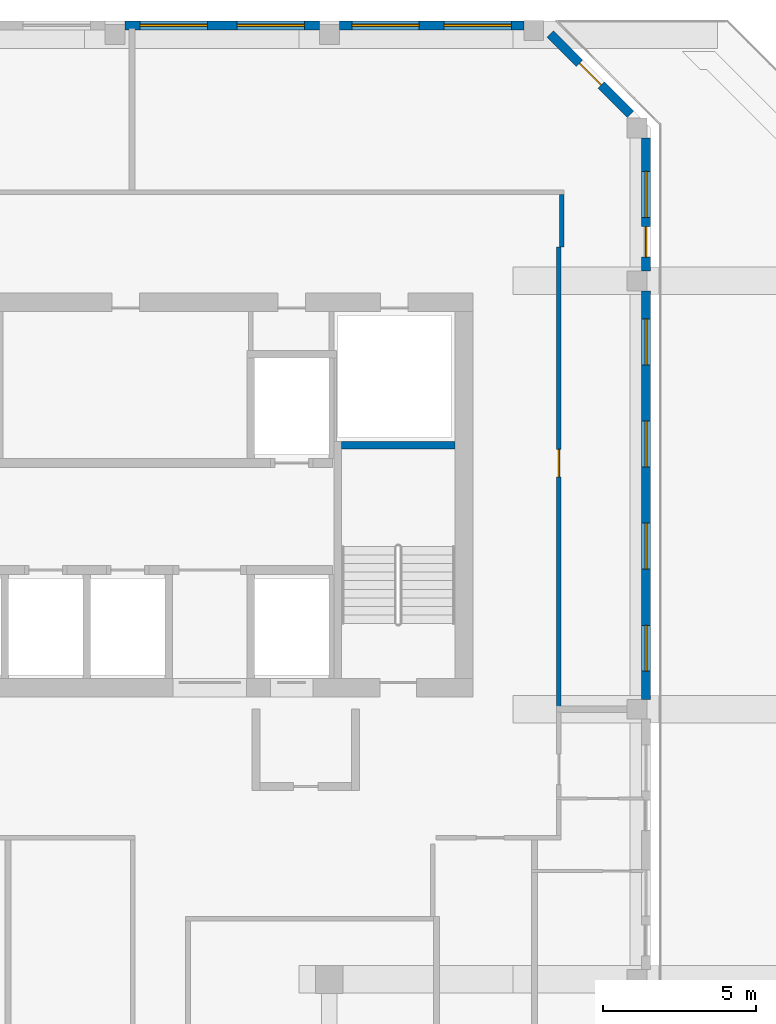
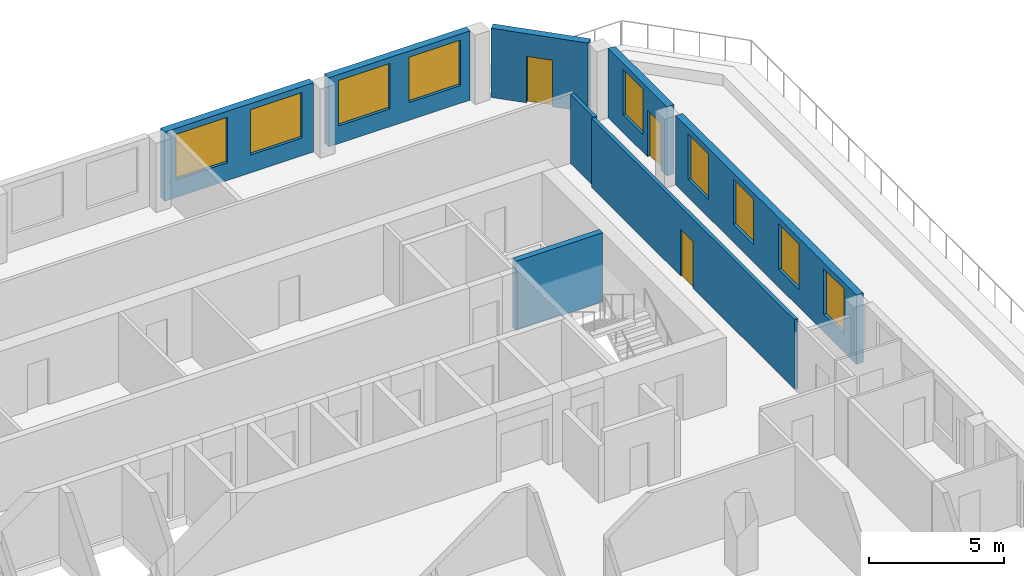
# One storey, part 9 of 13: 9 windows, 8 walls, 3 doors, 12 openings.
"""IFC4 building model written with IfcOpenShell, lengths in metres."""

import ifcopenshell
import ifcopenshell.guid

model = None  # the IFC model being written
_history = None  # IfcOwnerHistory: only IFC2X3 demands one
_inside = {}  # id of a spatial element -> (the spatial element, [elements in it])
_under = {}  # id of a project, library or spatial element -> (it, [spatial elements below it])
_declared = {}  # id of a project -> (the project, [libraries it declares])
_typed = {}  # id of a type object -> (the type object, [elements of that type])
_made_of = {}  # id of a material, layer set ... -> (it, [elements and type objects made of it])


def new_model(schema):
    """Start an empty IFC model of exactly this schema.

    Asked for "IFC4X3", IfcOpenShell would pick the latest addendum, in which some entities
    have other attributes; the version numbers below select the first issue.
    IFC2X3 requires an IfcOwnerHistory on every rooted entity: one is made here for all.
    """
    global model, _history
    if schema == "IFC4X3":
        model = ifcopenshell.file(schema_version=(4, 3, 0, 0))
    else:
        model = ifcopenshell.file(schema=schema)
    _inside.clear()
    _under.clear()
    _declared.clear()
    _typed.clear()
    _made_of.clear()
    _history = None
    if model.schema == "IFC2X3":
        org = make("IfcOrganization", Name="unknown")
        user = make(
            "IfcPersonAndOrganization",
            ThePerson=make("IfcPerson", FamilyName="unknown"),
            TheOrganization=org,
        )
        app = make(
            "IfcApplication",
            ApplicationDeveloper=org,
            Version="unknown",
            ApplicationFullName="unknown",
            ApplicationIdentifier="unknown",
        )
        _history = make(
            "IfcOwnerHistory",
            OwningUser=user,
            OwningApplication=app,
            ChangeAction="ADDED",
            CreationDate=0,
        )
    return model


def make(cls, **values):
    """One entity of the class cls with the attributes given. An attribute that is None is left unset."""
    return model.create_entity(
        cls, **{name: value for name, value in values.items() if value is not None}
    )


def rooted(cls, **values):
    """An entity with a GlobalId (a new one), such as an element, a storey or a relation."""
    return make(cls, GlobalId=ifcopenshell.guid.new(), OwnerHistory=_history, **values)


def si_unit(unit_type, name, prefix=None):
    """IfcSIUnit, for example si_unit("LENGTHUNIT", "METRE", prefix="MILLI")."""
    return make("IfcSIUnit", UnitType=unit_type, Prefix=prefix, Name=name)


def assignment(units):
    """IfcUnitAssignment: the units of a project."""
    return None if units is None else make("IfcUnitAssignment", Units=units)


def point(xyz):
    """IfcCartesianPoint."""
    return None if xyz is None else make("IfcCartesianPoint", Coordinates=xyz)


def direction(xyz):
    """IfcDirection."""
    return None if xyz is None else make("IfcDirection", DirectionRatios=xyz)


def frame(location, z_axis=None, x_axis=None):
    """IfcAxis2Placement3D, a coordinate frame: its origin and axes. An axis left out is left unset."""
    return make(
        "IfcAxis2Placement3D",
        Location=point(location),
        Axis=direction(z_axis),
        RefDirection=direction(x_axis),
    )


def frame_2d(location, x_axis=None):
    """IfcAxis2Placement2D, a coordinate frame in the plane: its origin and x axis."""
    return make(
        "IfcAxis2Placement2D", Location=point(location), RefDirection=direction(x_axis)
    )


def origin():
    """The frame at (0, 0, 0) with its axes left unset."""
    return frame((0.0, 0.0, 0.0))


def place(relative_to, where):
    """IfcLocalPlacement: puts the frame where relative to a parent placement (None: the world)."""
    return make(
        "IfcLocalPlacement", PlacementRelTo=relative_to, RelativePlacement=where
    )


def context(
    kind, dimensions, precision=None, world=None, true_north=None, identifier=None
):
    """IfcGeometricRepresentationContext, for example the 3D "Model" context."""
    return make(
        "IfcGeometricRepresentationContext",
        ContextIdentifier=identifier,
        ContextType=kind,
        CoordinateSpaceDimension=dimensions,
        Precision=precision,
        WorldCoordinateSystem=world,
        TrueNorth=true_north,
    )


def subcontext(parent, identifier, kind, view, scale=None):
    """IfcGeometricRepresentationSubContext, for example "Body" below "Model"."""
    return make(
        "IfcGeometricRepresentationSubContext",
        ContextIdentifier=identifier,
        ContextType=kind,
        ParentContext=parent,
        TargetScale=scale,
        TargetView=view,
    )


def project(units=None, contexts=None):
    """IfcProject with its units and contexts."""
    return rooted(
        "IfcProject",
        Name="project",
        RepresentationContexts=contexts,
        UnitsInContext=assignment(units),
    )


def spatial(cls, under=None, at=None, **own):
    """A site, building, storey or space (cls), placed at a placement, below another one or the project."""
    s = rooted(cls, ObjectPlacement=at, **own)
    if under is not None:
        _under.setdefault(under.id(), (under, []))[1].append(s)
    return s


def profile(cls, at=None, kind="AREA", **sizes):
    """A parametric profile (cls). Its sizes go by their IFC names, for example OverallWidth=200.0."""
    return make(cls, ProfileType=kind, Position=at, **sizes)


def rectangle(**sizes):
    """IfcRectangleProfileDef."""
    return profile("IfcRectangleProfileDef", **sizes)


def extrude(swept, where, along, depth):
    """IfcExtrudedAreaSolid: the profile swept, set in the frame where, extruded along a direction by depth."""
    return make(
        "IfcExtrudedAreaSolid",
        SweptArea=swept,
        Position=where,
        ExtrudedDirection=direction(along),
        Depth=depth,
    )


def shape(context_of_items, identifier, shape_type, items):
    """IfcShapeRepresentation: the items that make up one representation, for example the "Body"."""
    return make(
        "IfcShapeRepresentation",
        ContextOfItems=context_of_items,
        RepresentationIdentifier=identifier,
        RepresentationType=shape_type,
        Items=items,
    )


def source(mapping_origin, context_of_items, identifier, shape_type, items):
    """IfcRepresentationMap: a shape defined once, which mapped items show again and again."""
    return make(
        "IfcRepresentationMap",
        MappingOrigin=mapping_origin,
        MappedRepresentation=shape(context_of_items, identifier, shape_type, items),
    )


def transform(
    local_origin,
    x_axis=None,
    y_axis=None,
    z_axis=None,
    scale=None,
    scale2=None,
    scale3=None,
    uniform=True,
):
    """IfcCartesianTransformationOperator3D, or its non-uniform kind. x_axis, y_axis, z_axis: its Axis1, 2, 3."""
    if uniform:
        return make(
            "IfcCartesianTransformationOperator3D",
            Axis1=direction(x_axis),
            Axis2=direction(y_axis),
            LocalOrigin=point(local_origin),
            Scale=scale,
            Axis3=direction(z_axis),
        )
    return make(
        "IfcCartesianTransformationOperator3DnonUniform",
        Axis1=direction(x_axis),
        Axis2=direction(y_axis),
        LocalOrigin=point(local_origin),
        Scale=scale,
        Axis3=direction(z_axis),
        Scale2=scale2,
        Scale3=scale3,
    )


def mapped(mapping_source, mapping_target):
    """IfcMappedItem: shows the shape of a source again, moved by a transform."""
    return make(
        "IfcMappedItem", MappingSource=mapping_source, MappingTarget=mapping_target
    )


def material(Name=None, Category=None):
    """IfcMaterial."""
    return make("IfcMaterial", Name=Name, Category=Category)


def layer(
    of_material, thickness, ventilated=None, Name=None, Category=None, Priority=None
):
    """IfcMaterialLayer: one layer of a wall or slab, of a material (None: an air gap)."""
    return make(
        "IfcMaterialLayer",
        Material=of_material,
        LayerThickness=thickness,
        IsVentilated=ventilated,
        Name=Name,
        Category=Category,
        Priority=Priority,
    )


def layer_set(layers, Name=None):
    """IfcMaterialLayerSet."""
    return make("IfcMaterialLayerSet", MaterialLayers=layers, LayerSetName=Name)


def made_of(thing, what):
    """Note that an element or type object is made of a material, layer set ...; save() writes the relation."""
    if what is not None:
        _made_of.setdefault(what.id(), (what, []))[1].append(thing)
    return thing


def type_object(cls, material=None, **own):
    """A type object (cls), such as IfcWallType, which elements share."""
    return made_of(rooted(cls, **own), material)


def element(
    cls,
    number,
    at=None,
    inside=None,
    cuts=None,
    type_object=None,
    material=None,
    context=None,
    identifier="Body",
    shape_type=None,
    held_by="IfcProductDefinitionShape",
    body=None,
    shapes=None,
    **own,
):
    """One element of the class cls, such as IfcWall. Its Tag is "e" and its number.

    at: its placement. inside: the storey or other place that contains it. cuts: it is an
    opening in that element (IfcRelVoidsElement). A single representation is given by context,
    identifier, shape_type and body (its items); several are given by shapes. held_by: the class
    of the entity that holds the representations. save() writes the other relations.
    """
    e = rooted(cls, Tag="e%d" % number, ObjectPlacement=at, **own)
    if body is not None:
        shapes = [shape(context, identifier, shape_type, body)]
    if shapes is not None:
        e.Representation = make(held_by, Representations=shapes)
    if inside is not None:
        _inside.setdefault(inside.id(), (inside, []))[1].append(e)
    if cuts is not None:
        rooted(
            "IfcRelVoidsElement", RelatingBuildingElement=cuts, RelatedOpeningElement=e
        )
    if type_object is not None:
        _typed.setdefault(type_object.id(), (type_object, []))[1].append(e)
    return made_of(e, material)


def fill(opening, filler):
    """IfcRelFillsElement: the door or window that sits in an opening."""
    return rooted(
        "IfcRelFillsElement",
        RelatingOpeningElement=opening,
        RelatedBuildingElement=filler,
    )


def aggregate(whole, parts):
    """IfcRelAggregates: a whole, such as a stair, and the parts it consists of."""
    return rooted("IfcRelAggregates", RelatingObject=whole, RelatedObjects=parts)


def save(model, path):
    """Write the relations noted so far, then the file.

    IfcRelAggregates (storeys below a building ...), IfcRelContainedInSpatialStructure (elements
    in a storey), IfcRelDefinesByType, IfcRelAssociatesMaterial and IfcRelDeclares: one each for
    every whole, place, type object, material and project.
    """
    for whole, parts in _under.values():
        aggregate(whole, parts)
    for where, things in _inside.values():
        rooted(
            "IfcRelContainedInSpatialStructure",
            RelatedElements=things,
            RelatingStructure=where,
        )
    for kind, things in _typed.values():
        rooted("IfcRelDefinesByType", RelatedObjects=things, RelatingType=kind)
    for what, things in _made_of.values():
        rooted("IfcRelAssociatesMaterial", RelatedObjects=things, RelatingMaterial=what)
    for by, libraries in _declared.values():
        rooted("IfcRelDeclares", RelatingContext=by, RelatedDefinitions=libraries)
    model.write(path)


model = new_model("IFC4")

# Units and contexts
model_context = context("Model", 3, precision=1e-05, world=origin(), true_north=direction((0.0, 1.0)))
body_context = subcontext(model_context, "Body", "Model", "MODEL_VIEW")
ifc_project = project(units=[si_unit("LENGTHUNIT", "METRE"), si_unit("AREAUNIT", "SQUARE_METRE"), si_unit("VOLUMEUNIT", "CUBIC_METRE"), si_unit("PLANEANGLEUNIT", "RADIAN"), si_unit("MASSUNIT", "GRAM", prefix="KILO")], contexts=[model_context])

# Site, building, storey
site_placement = place(None, origin())
site = spatial("IfcSite", under=ifc_project, at=site_placement, CompositionType="ELEMENT")
building_placement = place(site_placement, origin())
building = spatial("IfcBuilding", under=site, at=building_placement, Name="Kilnfold Tower and Market Hall", CompositionType="ELEMENT")
storey_placement = place(building_placement, frame((0.0, 0.0, 267.0)))
storey = spatial("IfcBuildingStorey", under=building, at=storey_placement, Name="L65", CompositionType="ELEMENT", Elevation=267.0)

# Wall
ifc_material_1 = material(Name="Gypsum board on steel studs", Category="steel")
ifc_layer_1 = layer(ifc_material_1, 0.14990234375)
ifc_layer_set_1 = layer_set([ifc_layer_1], Name="Gypsum board on steel studs")
wall_type_1 = type_object("IfcWallType", Name="WALL CORRIDOR 150", PredefinedType="PARTITIONING", material=ifc_layer_set_1)
wall_1_placement = place(storey_placement, frame((20.60009765625, 23.10009765625, 0.0), z_axis=(0.0, 0.0, 1.0), x_axis=(0.0, 1.0, 0.0)))
element("IfcWall", 1, at=wall_1_placement, inside=storey, type_object=wall_type_1, Name="Partition LY41.20", PredefinedType="PARTITIONING", context=body_context, shape_type="SweptSolid", body=[
    extrude(rectangle(XDim=1.724853515625, YDim=0.14990234375, at=frame_2d((0.8623046875, 0.0))), origin(), (0.0, 0.0, 1.0), 3.1201171875),
])

# Wall, opening, door
wall_2_placement = place(storey_placement, frame((20.5, 8.090087890625, 0.0), z_axis=(0.0, 0.0, 1.0), x_axis=(0.0, 1.0, 0.0)))
wall_2 = element("IfcWall", 2, at=wall_2_placement, inside=storey, type_object=wall_type_1, Name="Partition LY41.21", PredefinedType="PARTITIONING", context=body_context, shape_type="SweptSolid", body=[
    extrude(rectangle(XDim=15.010009765625, YDim=0.14990234375, at=frame_2d((7.5048828125, 0.0))), origin(), (0.0, 0.0, 1.0), 3.1201171875),
])
opening_1_placement = place(wall_2_placement, frame((7.5048828125, 0.0, 0.0)))
opening_1 = element("IfcOpeningElement", 3, at=opening_1_placement, cuts=wall_2, Name="Opening D2", PredefinedType="OPENING", context=body_context, shape_type="SweptSolid", body=[
    extrude(rectangle(XDim=0.89990234375, YDim=2.10009765625, at=frame_2d((0.449951171875, 1.050048828125))), frame((0.0, 0.0849609375, 0.0), z_axis=(0.0, -1.0, 0.0), x_axis=(1.0, 0.0, 0.0)), (0.0, 0.0, 1.0), 0.169921875),
])
ifc_material_2 = material(Name="Timber veneer door leaf in steel frame", Category="steel")
door_type_1 = type_object("IfcDoorType", Name="DOOR ROOM 900 X2100", OperationType="NOTDEFINED", PredefinedType="DOOR", material=ifc_material_2)
door_1_placement = place(opening_1_placement, origin())
door_1 = element("IfcDoor", 4, at=door_1_placement, inside=storey, type_object=door_type_1, Name="Door D2", OperationType="SINGLE_SWING_RIGHT", OverallHeight=2.10009765625, OverallWidth=0.89990234375, PredefinedType="DOOR", context=body_context, shape_type="SweptSolid", body=[
    extrude(rectangle(XDim=0.89990234375, YDim=2.10009765625, at=frame_2d((0.449951171875, 1.050048828125))), frame((0.0, 0.02490234375, 0.0), z_axis=(0.0, -1.0, 0.0), x_axis=(1.0, 0.0, 0.0)), (0.0, 0.0, 1.0), 0.050048828125),
])
fill(opening_1, door_1)

# Wall
ifc_material_3 = material(Name="Concrete C50", Category="concrete")
ifc_layer_2 = layer(ifc_material_3, 0.25)
ifc_layer_set_2 = layer_set([ifc_layer_2], Name="Concrete C50")
wall_type_2 = type_object("IfcWallType", Name="CORE WALL 250 C50", PredefinedType="SHEAR", material=ifc_layer_set_2)
shared_shape_1 = source(origin(), body_context, "Body", "SweptSolid", [
    extrude(rectangle(XDim=3.7001953125, YDim=0.25, at=frame_2d((1.85009765625, 0.0))), origin(), (0.0, 0.0, 1.0), 3.1201171875),
])
wall_3_placement = place(storey_placement, frame((13.39990234375, 16.625, 0.0), z_axis=(0.0, 0.0, 1.0), x_axis=(1.0, 0.0, 0.0)))
element("IfcWall", 5, at=wall_3_placement, inside=storey, type_object=wall_type_2, Name="Stair enclosure ST2", PredefinedType="SHEAR", context=body_context, shape_type="MappedRepresentation", body=[
    mapped(shared_shape_1, transform((0.0, 0.0, 0.0))),
])

# Wall, openings, windows
ifc_material_4 = material(Name="Precast concrete C50/60", Category="concrete")
ifc_layer_3 = layer(ifc_material_4, 0.300048828125)
ifc_layer_set_3 = layer_set([ifc_layer_3], Name="Precast concrete C50/60")
wall_type_3 = type_object("IfcWallType", Name="PRECAST WALL 300", PredefinedType="SOLIDWALL", material=ifc_layer_set_3)
shared_shape_2 = source(origin(), body_context, "Body", "SweptSolid", [
    extrude(rectangle(XDim=6.35009765625, YDim=0.300048828125, at=frame_2d((3.175048828125, 0.0))), origin(), (0.0, 0.0, 1.0), 3.1201171875),
])
wall_4_placement = place(storey_placement, frame((12.675048828125, 30.35009765625, 0.0), z_axis=(0.0, 0.0, 1.0), x_axis=(-1.0, 0.0, 0.0)))
wall_4 = element("IfcWall", 6, at=wall_4_placement, inside=storey, type_object=wall_type_3, Name="External wall L65 N", PredefinedType="SOLIDWALL", context=body_context, shape_type="MappedRepresentation", body=[
    mapped(shared_shape_2, transform((0.0, 0.0, 0.0))),
])
opening_2_placement = place(wall_4_placement, frame((0.487548828125, 0.0, 0.800048828125)))
opening_2 = element("IfcOpeningElement", 7, at=opening_2_placement, cuts=wall_4, Name="Opening W3", PredefinedType="OPENING", context=body_context, shape_type="SweptSolid", body=[
    extrude(rectangle(XDim=2.199951171875, YDim=2.050048828125, at=frame_2d((1.10009765625, 1.02490234375))), frame((0.0, 0.16015625, 0.0), z_axis=(0.0, -1.0, 0.0), x_axis=(1.0, 0.0, 0.0)), (0.0, 0.0, 1.0), 0.320068359375),
])
opening_3_placement = place(wall_4_placement, frame((3.66259765625, 0.0, 0.800048828125)))
opening_3 = element("IfcOpeningElement", 8, at=opening_3_placement, cuts=wall_4, Name="Opening W3", PredefinedType="OPENING", context=body_context, shape_type="SweptSolid", body=[
    extrude(rectangle(XDim=2.199951171875, YDim=2.050048828125, at=frame_2d((1.10009765625, 1.02490234375))), frame((0.0, 0.16015625, 0.0), z_axis=(0.0, -1.0, 0.0), x_axis=(1.0, 0.0, 0.0)), (0.0, 0.0, 1.0), 0.320068359375),
])
ifc_material_5 = material(Name="Aluminium frame and double glazing", Category="aluminium")
window_type_1 = type_object("IfcWindowType", Name="WINDOW W3 2200X2050", PartitioningType="SINGLE_PANEL", PredefinedType="WINDOW", material=ifc_material_5)
window_1_placement = place(opening_2_placement, origin())
window_1 = element("IfcWindow", 9, at=window_1_placement, inside=storey, type_object=window_type_1, Name="Window W3 L65 N-1", OverallHeight=2.050048828125, OverallWidth=2.199951171875, PartitioningType="SINGLE_PANEL", PredefinedType="WINDOW", context=body_context, shape_type="SweptSolid", body=[
    extrude(rectangle(XDim=2.199951171875, YDim=2.050048828125, at=frame_2d((1.10009765625, 1.02490234375))), frame((0.0, 0.030029296875, 0.0), z_axis=(0.0, -1.0, 0.0), x_axis=(1.0, 0.0, 0.0)), (0.0, 0.0, 1.0), 0.06005859375),
])
fill(opening_2, window_1)
window_2_placement = place(opening_3_placement, origin())
window_2 = element("IfcWindow", 10, at=window_2_placement, inside=storey, type_object=window_type_1, Name="Window W3 L65 N-2", OverallHeight=2.050048828125, OverallWidth=2.199951171875, PartitioningType="SINGLE_PANEL", PredefinedType="WINDOW", context=body_context, shape_type="SweptSolid", body=[
    extrude(rectangle(XDim=2.199951171875, YDim=2.050048828125, at=frame_2d((1.10009765625, 1.02490234375))), frame((0.0, 0.030029296875, 0.0), z_axis=(0.0, -1.0, 0.0), x_axis=(1.0, 0.0, 0.0)), (0.0, 0.0, 1.0), 0.06005859375),
])
fill(opening_3, window_2)

# Wall, opening, door
shared_shape_3 = source(origin(), body_context, "Body", "SweptSolid", [
    extrude(rectangle(XDim=3.71240234375, YDim=0.300048828125, at=frame_2d((1.856201171875, 0.0))), origin(), (0.0, 0.0, 1.0), 3.1201171875),
])
wall_5_placement = place(storey_placement, frame((22.843994140625, 27.44384765625, 0.0), z_axis=(0.0, 0.0, 1.0), x_axis=(-0.707106781187, 0.707106781187, 0.0)))
wall_5 = element("IfcWall", 11, at=wall_5_placement, inside=storey, type_object=wall_type_3, Name="External wall L65 NE", PredefinedType="SOLIDWALL", context=body_context, shape_type="MappedRepresentation", body=[
    mapped(shared_shape_3, transform((0.0, 0.0, 0.0))),
])
opening_4_placement = place(wall_5_placement, frame((1.356201171875, 0.0, 0.0)))
opening_4 = element("IfcOpeningElement", 12, at=opening_4_placement, cuts=wall_5, Name="Opening BD1", PredefinedType="OPENING", context=body_context, shape_type="SweptSolid", body=[
    extrude(rectangle(XDim=1.0, YDim=2.10009765625, at=frame_2d((0.5, 1.050048828125))), frame((0.0, 0.16015625, 0.0), z_axis=(0.0, -1.0, 0.0), x_axis=(1.0, 0.0, 0.0)), (0.0, 0.0, 1.0), 0.320068359375),
])
ifc_material_6 = material(Name="Aluminium frame and double glazing", Category="aluminium")
door_type_2 = type_object("IfcDoorType", Name="BALCONY DOOR 1000X2100", OperationType="NOTDEFINED", PredefinedType="DOOR", material=ifc_material_6)
door_2_placement = place(opening_4_placement, origin())
door_2 = element("IfcDoor", 13, at=door_2_placement, inside=storey, type_object=door_type_2, Name="Balcony door BD1 L65 NE-1", OperationType="SINGLE_SWING_LEFT", OverallHeight=2.10009765625, OverallWidth=1.0, PredefinedType="DOOR", context=body_context, shape_type="SweptSolid", body=[
    extrude(rectangle(XDim=1.0, YDim=2.10009765625, at=frame_2d((0.5, 1.050048828125))), frame((0.0, 0.02490234375, 0.0), z_axis=(0.0, -1.0, 0.0), x_axis=(1.0, 0.0, 0.0)), (0.0, 0.0, 1.0), 0.050048828125),
])
fill(opening_4, door_2)

# Wall, openings, windows
shared_shape_4 = source(origin(), body_context, "Body", "SweptSolid", [
    extrude(rectangle(XDim=13.35009765625, YDim=0.300048828125, at=frame_2d((6.675048828125, 0.0))), origin(), (0.0, 0.0, 1.0), 3.1201171875),
])
wall_6_placement = place(storey_placement, frame((23.35009765625, 8.324951171875, 0.0), z_axis=(0.0, 0.0, 1.0), x_axis=(0.0, 1.0, 0.0)))
wall_6 = element("IfcWall", 14, at=wall_6_placement, inside=storey, type_object=wall_type_3, Name="External wall L65 E", PredefinedType="SOLIDWALL", context=body_context, shape_type="MappedRepresentation", body=[
    mapped(shared_shape_4, transform((0.0, 0.0, 0.0))),
])
opening_5_placement = place(wall_6_placement, frame((0.918701171875, 0.0, 0.800048828125)))
opening_5 = element("IfcOpeningElement", 15, at=opening_5_placement, cuts=wall_6, Name="Opening W5", PredefinedType="OPENING", context=body_context, shape_type="SweptSolid", body=[
    extrude(rectangle(XDim=1.5, YDim=2.050048828125, at=frame_2d((0.75, 1.02490234375))), frame((0.0, 0.16015625, 0.0), z_axis=(0.0, -1.0, 0.0), x_axis=(1.0, 0.0, 0.0)), (0.0, 0.0, 1.0), 0.320068359375),
])
opening_6_placement = place(wall_6_placement, frame((4.25634765625, 0.0, 0.800048828125)))
opening_6 = element("IfcOpeningElement", 16, at=opening_6_placement, cuts=wall_6, Name="Opening W5", PredefinedType="OPENING", context=body_context, shape_type="SweptSolid", body=[
    extrude(rectangle(XDim=1.5, YDim=2.050048828125, at=frame_2d((0.75, 1.02490234375))), frame((0.0, 0.16015625, 0.0), z_axis=(0.0, -1.0, 0.0), x_axis=(1.0, 0.0, 0.0)), (0.0, 0.0, 1.0), 0.320068359375),
])
opening_7_placement = place(wall_6_placement, frame((7.59375, 0.0, 0.800048828125)))
opening_7 = element("IfcOpeningElement", 17, at=opening_7_placement, cuts=wall_6, Name="Opening W5", PredefinedType="OPENING", context=body_context, shape_type="SweptSolid", body=[
    extrude(rectangle(XDim=1.5, YDim=2.050048828125, at=frame_2d((0.75, 1.02490234375))), frame((0.0, 0.16015625, 0.0), z_axis=(0.0, -1.0, 0.0), x_axis=(1.0, 0.0, 0.0)), (0.0, 0.0, 1.0), 0.320068359375),
])
opening_8_placement = place(wall_6_placement, frame((10.93115234375, 0.0, 0.800048828125)))
opening_8 = element("IfcOpeningElement", 18, at=opening_8_placement, cuts=wall_6, Name="Opening W5", PredefinedType="OPENING", context=body_context, shape_type="SweptSolid", body=[
    extrude(rectangle(XDim=1.5, YDim=2.050048828125, at=frame_2d((0.75, 1.02490234375))), frame((0.0, 0.16015625, 0.0), z_axis=(0.0, -1.0, 0.0), x_axis=(1.0, 0.0, 0.0)), (0.0, 0.0, 1.0), 0.320068359375),
])
ifc_material_7 = material(Name="Aluminium frame and double glazing", Category="aluminium")
window_type_2 = type_object("IfcWindowType", Name="WINDOW W5 1500X2050", PartitioningType="SINGLE_PANEL", PredefinedType="WINDOW", material=ifc_material_7)
window_3_placement = place(opening_5_placement, origin())
window_3 = element("IfcWindow", 19, at=window_3_placement, inside=storey, type_object=window_type_2, Name="Window W5 L65 E-1", OverallHeight=2.050048828125, OverallWidth=1.5, PartitioningType="SINGLE_PANEL", PredefinedType="WINDOW", context=body_context, shape_type="SweptSolid", body=[
    extrude(rectangle(XDim=1.5, YDim=2.050048828125, at=frame_2d((0.75, 1.02490234375))), frame((0.0, 0.030029296875, 0.0), z_axis=(0.0, -1.0, 0.0), x_axis=(1.0, 0.0, 0.0)), (0.0, 0.0, 1.0), 0.06005859375),
])
fill(opening_5, window_3)
window_4_placement = place(opening_6_placement, origin())
window_4 = element("IfcWindow", 20, at=window_4_placement, inside=storey, type_object=window_type_2, Name="Window W5 L65 E-2", OverallHeight=2.050048828125, OverallWidth=1.5, PartitioningType="SINGLE_PANEL", PredefinedType="WINDOW", context=body_context, shape_type="SweptSolid", body=[
    extrude(rectangle(XDim=1.5, YDim=2.050048828125, at=frame_2d((0.75, 1.02490234375))), frame((0.0, 0.030029296875, 0.0), z_axis=(0.0, -1.0, 0.0), x_axis=(1.0, 0.0, 0.0)), (0.0, 0.0, 1.0), 0.06005859375),
])
fill(opening_6, window_4)
window_5_placement = place(opening_7_placement, origin())
window_5 = element("IfcWindow", 21, at=window_5_placement, inside=storey, type_object=window_type_2, Name="Window W5 L65 E-3", OverallHeight=2.050048828125, OverallWidth=1.5, PartitioningType="SINGLE_PANEL", PredefinedType="WINDOW", context=body_context, shape_type="SweptSolid", body=[
    extrude(rectangle(XDim=1.5, YDim=2.050048828125, at=frame_2d((0.75, 1.02490234375))), frame((0.0, 0.030029296875, 0.0), z_axis=(0.0, -1.0, 0.0), x_axis=(1.0, 0.0, 0.0)), (0.0, 0.0, 1.0), 0.06005859375),
])
fill(opening_7, window_5)
window_6_placement = place(opening_8_placement, origin())
window_6 = element("IfcWindow", 22, at=window_6_placement, inside=storey, type_object=window_type_2, Name="Window W5 L65 E-4", OverallHeight=2.050048828125, OverallWidth=1.5, PartitioningType="SINGLE_PANEL", PredefinedType="WINDOW", context=body_context, shape_type="SweptSolid", body=[
    extrude(rectangle(XDim=1.5, YDim=2.050048828125, at=frame_2d((0.75, 1.02490234375))), frame((0.0, 0.030029296875, 0.0), z_axis=(0.0, -1.0, 0.0), x_axis=(1.0, 0.0, 0.0)), (0.0, 0.0, 1.0), 0.06005859375),
])
fill(opening_8, window_6)

# Wall, openings, door, window
shared_shape_5 = source(origin(), body_context, "Body", "SweptSolid", [
    extrude(rectangle(XDim=4.35009765625, YDim=0.300048828125, at=frame_2d((2.175048828125, 0.0))), origin(), (0.0, 0.0, 1.0), 3.1201171875),
])
wall_7_placement = place(storey_placement, frame((23.35009765625, 22.324951171875, 0.0), z_axis=(0.0, 0.0, 1.0), x_axis=(0.0, 1.0, 0.0)))
wall_7 = element("IfcWall", 23, at=wall_7_placement, inside=storey, type_object=wall_type_3, Name="External wall L65 E", PredefinedType="SOLIDWALL", context=body_context, shape_type="MappedRepresentation", body=[
    mapped(shared_shape_5, transform((0.0, 0.0, 0.0))),
])
opening_9_placement = place(wall_7_placement, frame((1.75, 0.0, 0.800048828125)))
opening_9 = element("IfcOpeningElement", 24, at=opening_9_placement, cuts=wall_7, Name="Opening W5", PredefinedType="OPENING", context=body_context, shape_type="SweptSolid", body=[
    extrude(rectangle(XDim=1.5, YDim=2.050048828125, at=frame_2d((0.75, 1.02490234375))), frame((0.0, 0.16015625, 0.0), z_axis=(0.0, -1.0, 0.0), x_axis=(1.0, 0.0, 0.0)), (0.0, 0.0, 1.0), 0.320068359375),
])
opening_10_placement = place(wall_7_placement, frame((0.449951171875, 0.0, 0.0)))
opening_10 = element("IfcOpeningElement", 25, at=opening_10_placement, cuts=wall_7, Name="Opening BD1", PredefinedType="OPENING", context=body_context, shape_type="SweptSolid", body=[
    extrude(rectangle(XDim=1.0, YDim=2.10009765625, at=frame_2d((0.5, 1.050048828125))), frame((0.0, 0.16015625, 0.0), z_axis=(0.0, -1.0, 0.0), x_axis=(1.0, 0.0, 0.0)), (0.0, 0.0, 1.0), 0.320068359375),
])
door_3_placement = place(opening_10_placement, origin())
door_3 = element("IfcDoor", 26, at=door_3_placement, inside=storey, type_object=door_type_2, Name="Balcony door BD1 L65 E-1", OperationType="SINGLE_SWING_LEFT", OverallHeight=2.10009765625, OverallWidth=1.0, PredefinedType="DOOR", context=body_context, shape_type="SweptSolid", body=[
    extrude(rectangle(XDim=1.0, YDim=2.10009765625, at=frame_2d((0.5, 1.050048828125))), frame((0.0, 0.02490234375, 0.0), z_axis=(0.0, -1.0, 0.0), x_axis=(1.0, 0.0, 0.0)), (0.0, 0.0, 1.0), 0.050048828125),
])
fill(opening_10, door_3)
window_7_placement = place(opening_9_placement, origin())
window_7 = element("IfcWindow", 27, at=window_7_placement, inside=storey, type_object=window_type_2, Name="Window W5 L65 E-1", OverallHeight=2.050048828125, OverallWidth=1.5, PartitioningType="SINGLE_PANEL", PredefinedType="WINDOW", context=body_context, shape_type="SweptSolid", body=[
    extrude(rectangle(XDim=1.5, YDim=2.050048828125, at=frame_2d((0.75, 1.02490234375))), frame((0.0, 0.030029296875, 0.0), z_axis=(0.0, -1.0, 0.0), x_axis=(1.0, 0.0, 0.0)), (0.0, 0.0, 1.0), 0.06005859375),
])
fill(opening_9, window_7)

# Wall, openings, windows
shared_shape_6 = source(origin(), body_context, "Body", "SweptSolid", [
    extrude(rectangle(XDim=6.03173828125, YDim=0.300048828125, at=frame_2d((3.015869140625, 0.0))), origin(), (0.0, 0.0, 1.0), 3.1201171875),
])
wall_8_placement = place(storey_placement, frame((19.356689453125, 30.35009765625, 0.0), z_axis=(0.0, 0.0, 1.0), x_axis=(-1.0, 0.0, 0.0)))
wall_8 = element("IfcWall", 28, at=wall_8_placement, inside=storey, type_object=wall_type_3, Name="External wall L65 N", PredefinedType="SOLIDWALL", context=body_context, shape_type="MappedRepresentation", body=[
    mapped(shared_shape_6, transform((0.0, 0.0, 0.0))),
])
opening_11_placement = place(wall_8_placement, frame((0.407958984375, 0.0, 0.800048828125)))
opening_11 = element("IfcOpeningElement", 29, at=opening_11_placement, cuts=wall_8, Name="Opening W3", PredefinedType="OPENING", context=body_context, shape_type="SweptSolid", body=[
    extrude(rectangle(XDim=2.199951171875, YDim=2.050048828125, at=frame_2d((1.10009765625, 1.02490234375))), frame((0.0, 0.16015625, 0.0), z_axis=(0.0, -1.0, 0.0), x_axis=(1.0, 0.0, 0.0)), (0.0, 0.0, 1.0), 0.320068359375),
])
opening_12_placement = place(wall_8_placement, frame((3.423828125, 0.0, 0.800048828125)))
opening_12 = element("IfcOpeningElement", 30, at=opening_12_placement, cuts=wall_8, Name="Opening W3", PredefinedType="OPENING", context=body_context, shape_type="SweptSolid", body=[
    extrude(rectangle(XDim=2.199951171875, YDim=2.050048828125, at=frame_2d((1.10009765625, 1.02490234375))), frame((0.0, 0.16015625, 0.0), z_axis=(0.0, -1.0, 0.0), x_axis=(1.0, 0.0, 0.0)), (0.0, 0.0, 1.0), 0.320068359375),
])
window_8_placement = place(opening_11_placement, origin())
window_8 = element("IfcWindow", 31, at=window_8_placement, inside=storey, type_object=window_type_1, Name="Window W3 L65 N-1", OverallHeight=2.050048828125, OverallWidth=2.199951171875, PartitioningType="SINGLE_PANEL", PredefinedType="WINDOW", context=body_context, shape_type="SweptSolid", body=[
    extrude(rectangle(XDim=2.199951171875, YDim=2.050048828125, at=frame_2d((1.10009765625, 1.02490234375))), frame((0.0, 0.030029296875, 0.0), z_axis=(0.0, -1.0, 0.0), x_axis=(1.0, 0.0, 0.0)), (0.0, 0.0, 1.0), 0.06005859375),
])
fill(opening_11, window_8)
window_9_placement = place(opening_12_placement, origin())
window_9 = element("IfcWindow", 32, at=window_9_placement, inside=storey, type_object=window_type_1, Name="Window W3 L65 N-2", OverallHeight=2.050048828125, OverallWidth=2.199951171875, PartitioningType="SINGLE_PANEL", PredefinedType="WINDOW", context=body_context, shape_type="SweptSolid", body=[
    extrude(rectangle(XDim=2.199951171875, YDim=2.050048828125, at=frame_2d((1.10009765625, 1.02490234375))), frame((0.0, 0.030029296875, 0.0), z_axis=(0.0, -1.0, 0.0), x_axis=(1.0, 0.0, 0.0)), (0.0, 0.0, 1.0), 0.06005859375),
])
fill(opening_12, window_9)

save(model, "model.ifc")
